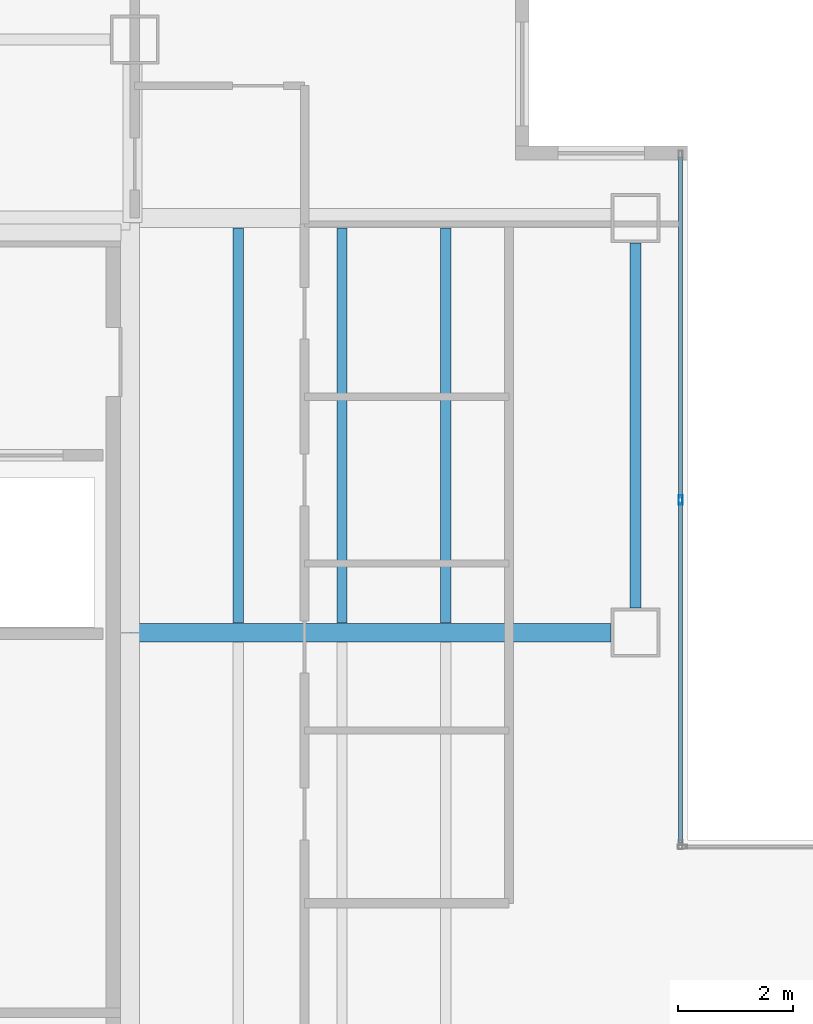
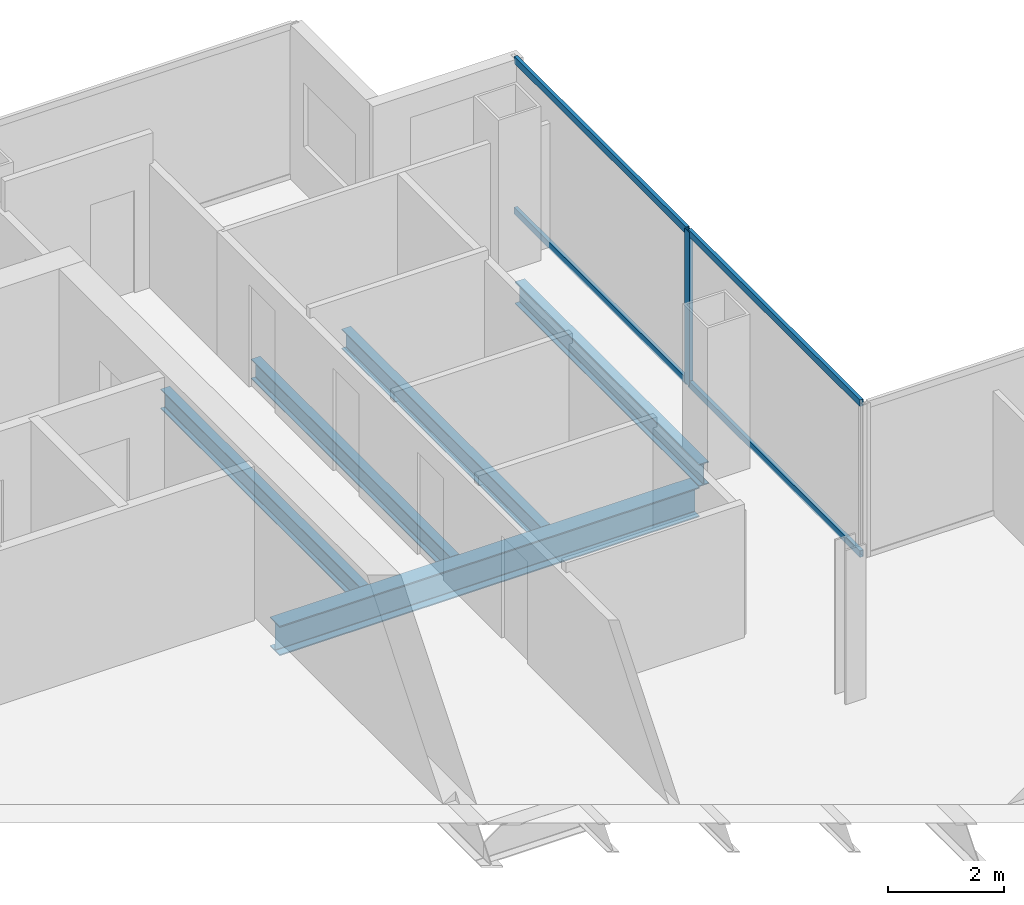
# One storey, part 9 of 23: 5 beams, 5 members, 1 element without a shape of its own.
"""IFC4 building model written with IfcOpenShell, lengths in metres."""

from ifc_helpers import new_model, si_unit, direction, frame, origin, origin_2d, place, context, subcontext, project, spatial, hollow_rectangle, i_section, extrude, material, material_profile, profile_set, type_object, element, aggregate, save


model = new_model("IFC4")

# Units and contexts
model_context = context("Model", 3, precision=1e-05, world=origin(), true_north=direction((0.0, 1.0)))
body_context = subcontext(model_context, "Body", "Model", "MODEL_VIEW")
ifc_project = project(units=[si_unit("LENGTHUNIT", "METRE"), si_unit("AREAUNIT", "SQUARE_METRE"), si_unit("VOLUMEUNIT", "CUBIC_METRE"), si_unit("PLANEANGLEUNIT", "RADIAN"), si_unit("MASSUNIT", "GRAM", prefix="KILO")], contexts=[model_context])

# Site, building, storey
site_placement = place(None, origin())
site = spatial("IfcSite", under=ifc_project, at=site_placement, CompositionType="ELEMENT")
building_placement = place(site_placement, origin())
building = spatial("IfcBuilding", under=site, at=building_placement, Name="Cobrela Telecom Tower", CompositionType="ELEMENT")
storey_placement = place(building_placement, frame((0.0, 0.0, 183.75)))
storey = spatial("IfcBuildingStorey", under=building, at=storey_placement, Name="L46", CompositionType="ELEMENT", Elevation=183.75)

# Beams
ifc_material_1 = material(Name="Steel ASTM A992 Grade 50", Category="steel")
ifc_material_profile_1 = material_profile(ifc_material_1, i_section(OverallWidth=0.327880859375, OverallDepth=0.6220703125, WebThickness=0.015380859375, FlangeThickness=0.0244140625, FilletRadius=0.014892578125, at=origin_2d()), Name="W24X131")
ifc_profile_set_1 = profile_set([ifc_material_profile_1], Name="Steel ASTM A992 Grade 50")
beam_type_1 = type_object("IfcBeamType", Name="BM-GIRD-06", PredefinedType="USERDEFINED", material=ifc_profile_set_1)
beam_1_placement = place(storey_placement, frame((14.324951171875, 28.800048828125, -0.571044921875), z_axis=(1.0, 0.0, 0.0), x_axis=(0.0, 1.0, 0.0)))
element("IfcBeam", 1, at=beam_1_placement, inside=storey, type_object=beam_type_1, Name="L46 Primary Girder X19", ObjectType="GIRDER", PredefinedType="USERDEFINED", context=body_context, shape_type="SweptSolid", body=[
    extrude(i_section(OverallWidth=0.327880859375, OverallDepth=0.6220703125, WebThickness=0.015380859375, FlangeThickness=0.0244140625, FilletRadius=0.014892578125, at=origin_2d()), origin(), (0.0, 0.0, 1.0), 8.344970703125),
])
ifc_material_profile_2 = material_profile(ifc_material_1, i_section(OverallWidth=0.179931640625, OverallDepth=0.4169921875, WebThickness=0.010986328125, FlangeThickness=0.01806640625, FilletRadius=0.011962890625, at=origin_2d()), Name="W16X57")
ifc_profile_set_2 = profile_set([ifc_material_profile_2], Name="Steel ASTM A992 Grade 50")
beam_type_2 = type_object("IfcBeamType", Name="BM-JOIST-04", PredefinedType="JOIST", material=ifc_profile_set_2)
for number, where, z_axis, x_axis, name in (
    (2, (16.199951171875, 28.968994140625, -0.468505859375), (0.0, 1.0, 0.0), (-1.0, 0.0, 0.0), "L46 Secondary Composite Floor Beam J04"),
    (3, (18.0, 28.968994140625, -0.468505859375), (0.0, 1.0, 0.0), (-1.0, 0.0, 0.0), "L46 Secondary Composite Floor Beam J08"),
    (4, (19.800048828125, 28.968994140625, -0.468505859375), (0.0, 1.0, 0.0), (-1.0, 0.0, 0.0), "L46 Secondary Composite Floor Beam J12"),
):
    element("IfcBeam", number, at=place(storey_placement, frame(where, z_axis=z_axis, x_axis=x_axis)), inside=storey, type_object=beam_type_2, Name=name, PredefinedType="JOIST", context=body_context, shape_type="SweptSolid", body=[
        extrude(i_section(OverallWidth=0.179931640625, OverallDepth=0.4169921875, WebThickness=0.010986328125, FlangeThickness=0.01806640625, FilletRadius=0.011962890625, at=origin_2d()), origin(), (0.0, 0.0, 1.0), 6.862060546875),
    ])
ifc_material_profile_3 = material_profile(ifc_material_1, i_section(OverallWidth=0.193115234375, OverallDepth=0.467041015625, WebThickness=0.011474609375, FlangeThickness=0.01904296875, FilletRadius=0.012939453125, at=origin_2d()), Name="W18X65")
ifc_profile_set_3 = profile_set([ifc_material_profile_3], Name="Steel ASTM A992 Grade 50")
beam_type_3 = type_object("IfcBeamType", Name="BM-SPAND-05", PredefinedType="SPANDREL", material=ifc_profile_set_3)
beam_2_placement = place(storey_placement, frame((23.10009765625, 29.22998046875, -0.493408203125), z_axis=(0.0, 1.0, 0.0), x_axis=(-1.0, 0.0, 0.0)))
element("IfcBeam", 5, at=beam_2_placement, inside=storey, type_object=beam_type_3, Name="L46 Perimeter Spandrel Y35", PredefinedType="SPANDREL", context=body_context, shape_type="SweptSolid", body=[
    extrude(i_section(OverallWidth=0.193115234375, OverallDepth=0.467041015625, WebThickness=0.011474609375, FlangeThickness=0.01904296875, FilletRadius=0.012939453125, at=origin_2d()), origin(), (0.0, 0.0, 1.0), 6.340087890625),
])

# Curtain wall, members
ifc_material_2 = material(Name="Anodized Bronze Aluminium 6063-T6", Category="aluminium")
curtain_wall_type = type_object("IfcCurtainWallType", Name="CW-SYS-OFF-LO", PredefinedType="USERDEFINED", material=ifc_material_2)
curtain_wall_placement = place(storey_placement, origin())
curtain_wall = element("IfcCurtainWall", 6, at=curtain_wall_placement, inside=storey, type_object=curtain_wall_type, Name="L46 Unitised Bronze Curtain Wall 10", ObjectType="UNITISED CURTAIN WALL", PredefinedType="USERDEFINED")
ifc_material_profile_4 = material_profile(ifc_material_2, hollow_rectangle(XDim=0.070068359375, YDim=0.159912109375, WallThickness=0.00390625, at=origin_2d()), Name="ALU 70x160x4")
ifc_profile_set_4 = profile_set([ifc_material_profile_4], Name="Anodized Bronze Aluminium 6063-T6")
member_type_1 = type_object("IfcMemberType", Name="CW-SYS-OFF-LO-MUL", PredefinedType="MULLION", material=ifc_profile_set_4)
member_1_placement = place(storey_placement, frame((23.8798828125, 31.10498046875, 0.0), z_axis=(0.0, 0.0, 1.0), x_axis=(1.0, 0.0, 0.0)))
member_1 = element("IfcMember", 7, at=member_1_placement, type_object=member_type_1, Name="CW-OFF-LO mullion 2", PredefinedType="MULLION", context=body_context, shape_type="SweptSolid", body=[
    extrude(hollow_rectangle(XDim=0.070068359375, YDim=0.159912109375, WallThickness=0.00390625, at=origin_2d()), origin(), (0.0, 0.0, 1.0), 3.239990234375),
])
ifc_material_profile_5 = material_profile(ifc_material_2, hollow_rectangle(XDim=0.070068359375, YDim=0.139892578125, WallThickness=0.00390625, at=origin_2d()), Name="ALU 70x140x4")
ifc_profile_set_5 = profile_set([ifc_material_profile_5], Name="Anodized Bronze Aluminium 6063-T6")
member_type_2 = type_object("IfcMemberType", Name="CW-SYS-OFF-LO-TRN", PredefinedType="USERDEFINED", material=ifc_profile_set_5)
member_2_placement = place(storey_placement, frame((23.8798828125, 37.06005859375, 0.034912109375), z_axis=(0.0, -1.0, 0.0), x_axis=(1.0, 0.0, 0.0)))
member_2 = element("IfcMember", 8, at=member_2_placement, type_object=member_type_2, Name="CW-OFF-LO transom 1.1", ObjectType="TRANSOM", PredefinedType="USERDEFINED", context=body_context, shape_type="SweptSolid", body=[
    extrude(hollow_rectangle(XDim=0.070068359375, YDim=0.139892578125, WallThickness=0.00390625, at=origin_2d()), origin(), (0.0, 0.0, 1.0), 5.920166015625),
])
member_3_placement = place(storey_placement, frame((23.8798828125, 37.06005859375, 3.205078125), z_axis=(0.0, -1.0, 0.0), x_axis=(1.0, 0.0, 0.0)))
member_3 = element("IfcMember", 9, at=member_3_placement, type_object=member_type_2, Name="CW-OFF-LO transom 1.2", ObjectType="TRANSOM", PredefinedType="USERDEFINED", context=body_context, shape_type="SweptSolid", body=[
    extrude(hollow_rectangle(XDim=0.070068359375, YDim=0.139892578125, WallThickness=0.00390625, at=origin_2d()), origin(), (0.0, 0.0, 1.0), 5.920166015625),
])
member_4_placement = place(storey_placement, frame((23.8798828125, 31.070068359375, 0.034912109375), z_axis=(0.0, -1.0, 0.0), x_axis=(1.0, 0.0, 0.0)))
member_4 = element("IfcMember", 10, at=member_4_placement, type_object=member_type_2, Name="CW-OFF-LO transom 2.1", ObjectType="TRANSOM", PredefinedType="USERDEFINED", context=body_context, shape_type="SweptSolid", body=[
    extrude(hollow_rectangle(XDim=0.070068359375, YDim=0.139892578125, WallThickness=0.00390625, at=origin_2d()), origin(), (0.0, 0.0, 1.0), 5.920166015625),
])
member_5_placement = place(storey_placement, frame((23.8798828125, 31.070068359375, 3.205078125), z_axis=(0.0, -1.0, 0.0), x_axis=(1.0, 0.0, 0.0)))
member_5 = element("IfcMember", 11, at=member_5_placement, type_object=member_type_2, Name="CW-OFF-LO transom 2.2", ObjectType="TRANSOM", PredefinedType="USERDEFINED", context=body_context, shape_type="SweptSolid", body=[
    extrude(hollow_rectangle(XDim=0.070068359375, YDim=0.139892578125, WallThickness=0.00390625, at=origin_2d()), origin(), (0.0, 0.0, 1.0), 5.920166015625),
])
aggregate(curtain_wall, [member_1, member_2, member_3, member_4, member_5])

save(model, "model.ifc")
